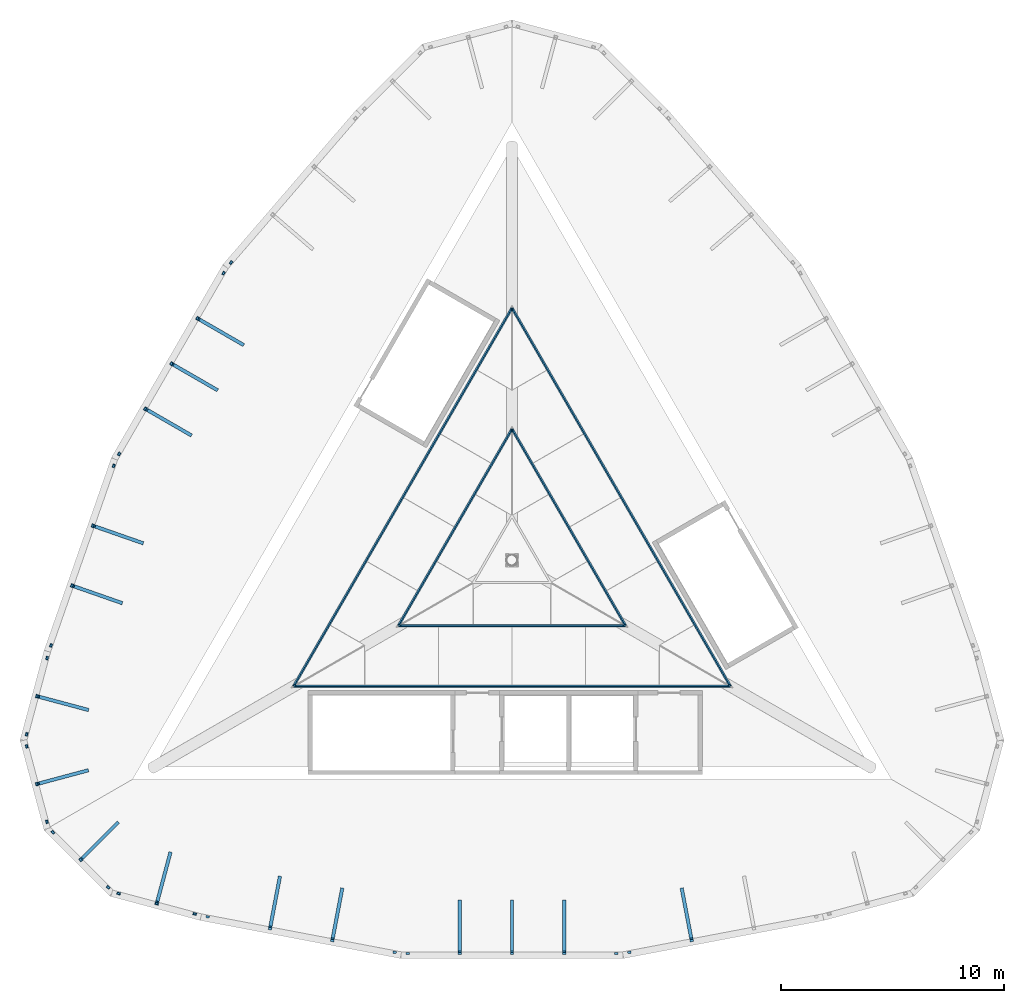
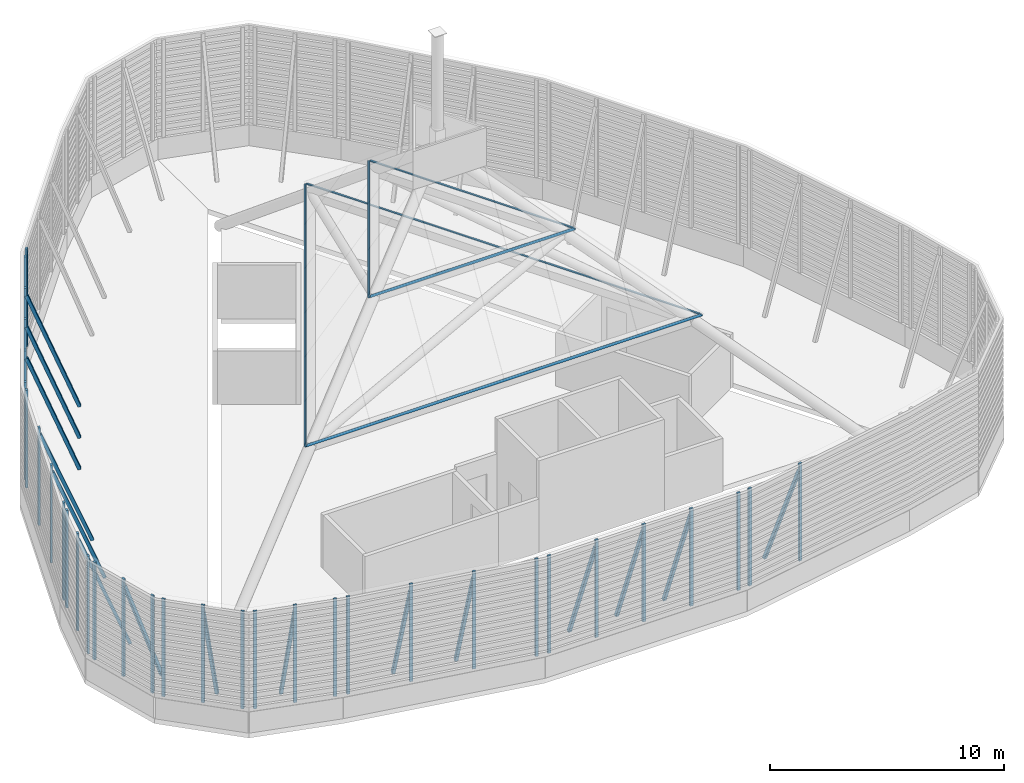
# One storey, part 3 of 6: 54 discrete accessories.
"""IFC4 building model written with IfcOpenShell, lengths in metres."""

from ifc_helpers import new_model, si_unit, direction, frame, frame_2d, origin, origin_2d, place, context, subcontext, project, spatial, polyline, rectangle, hollow_rectangle, outline, extrude, material, material_profile, profile_set, type_object, element, save


model = new_model("IFC4")

# Units and contexts
model_context = context("Model", 3, precision=1e-05, world=origin(), true_north=direction((0.0, 1.0)))
body_context = subcontext(model_context, "Body", "Model", "MODEL_VIEW")
ifc_project = project(units=[si_unit("LENGTHUNIT", "METRE"), si_unit("AREAUNIT", "SQUARE_METRE"), si_unit("VOLUMEUNIT", "CUBIC_METRE"), si_unit("PLANEANGLEUNIT", "RADIAN"), si_unit("MASSUNIT", "GRAM", prefix="KILO")], contexts=[model_context])

# Site, building, storey
site_placement = place(None, origin())
site = spatial("IfcSite", under=ifc_project, at=site_placement, CompositionType="ELEMENT")
building_placement = place(site_placement, origin())
building = spatial("IfcBuilding", under=site, at=building_placement, Name="Trikona Tower", CompositionType="ELEMENT")
storey_placement = place(building_placement, frame((0.0, 0.0, 303.800048828125)))
storey = spatial("IfcBuildingStorey", under=building, at=storey_placement, Name="RF", CompositionType="ELEMENT", Elevation=303.800048828125)

# Discrete accessories
ifc_material_1 = material(Name="Aluminium extrusion, pale anodised", Category="aluminium")
discrete_accessory_type_1 = type_object("IfcDiscreteAccessoryType", Name="Crown cap rail 120x60", PredefinedType="BRACKET", material=ifc_material_1)
discrete_accessory_1_placement = place(storey_placement, frame((9.8544921875, -5.6318359375, 6.3828125), z_axis=(0.741695708571, 0.428217456862, 0.516253121565), x_axis=(-0.499998690413, 0.866026159873, -1.233477e-06)))
element("IfcDiscreteAccessory", 1, at=discrete_accessory_1_placement, inside=storey, type_object=discrete_accessory_type_1, Name="Crown cap rail 1 face 1", PredefinedType="BRACKET", context=body_context, shape_type="SweptSolid", body=[
    extrude(outline(polyline([(0.0, 0.0), (19.609007577323545, -8.881784197001252e-16), (19.501599909230535, 0.12004078695887327), (0.1076258728651294, 0.11998461315778214), (0.0, 0.0)])), origin(), (0.0, 0.0, -1.0), 0.06005859375),
])
discrete_accessory_2_placement = place(storey_placement, frame((-0.050048828125, 11.35009765625, 6.3828125), z_axis=(-0.741695708571, 0.428217456862, 0.516253121565), x_axis=(-0.499998690413, -0.866026159873, 1.233477e-06)))
element("IfcDiscreteAccessory", 2, at=discrete_accessory_2_placement, inside=storey, type_object=discrete_accessory_type_1, Name="Crown cap rail 1 face 2", PredefinedType="BRACKET", context=body_context, shape_type="SweptSolid", body=[
    extrude(outline(polyline([(0.0, 0.0), (19.609007577323545, 8.881784197001252e-16), (19.501381704458417, 0.11998461315778258), (0.10740766809301261, 0.12004078695887441), (0.0, 0.0)])), origin(), (0.0, 0.0, -1.0), 0.06005859375),
])
discrete_accessory_3_placement = place(storey_placement, frame((-9.804443359375, -5.718505859375, 6.3828125), z_axis=(0.0, -0.855334247373, 0.518076563136), x_axis=(1.0, 0.0, 0.0)))
element("IfcDiscreteAccessory", 3, at=discrete_accessory_3_placement, inside=storey, type_object=discrete_accessory_type_1, Name="Crown cap rail 1 face 3", PredefinedType="BRACKET", context=body_context, shape_type="SweptSolid", body=[
    extrude(outline(polyline([(0.0, 0.0), (19.60888671875, 0.0), (19.50146484375, 0.12016729534758941), (0.107421875, 0.12016729534758941), (0.0, 0.0)])), origin(), (0.0, 0.0, -1.0), 0.06005859375),
])
discrete_accessory_4_placement = place(storey_placement, frame((5.149658203125, -2.915283203125, 10.8828125), z_axis=(0.741162386546, 0.427912216776, 0.517271158584), x_axis=(-0.500004215877, 0.866022969719, 4.850784e-06)))
element("IfcDiscreteAccessory", 4, at=discrete_accessory_4_placement, inside=storey, type_object=discrete_accessory_type_1, Name="Crown cap rail 2 face 1", PredefinedType="BRACKET", context=body_context, shape_type="SweptSolid", body=[
    extrude(outline(polyline([(0.0, 0.0), (10.198990981384046, -4.440892098500626e-16), (10.091584334304596, 0.12004167155457059), (0.10753753312757419, 0.12015606871430476), (0.0, 0.0)])), origin(), (0.0, 0.0, -1.0), 0.06005859375),
])
discrete_accessory_5_placement = place(storey_placement, frame((-0.050048828125, 5.917236328125, 10.8828125), z_axis=(-0.741162386546, 0.427912216776, 0.517271158584), x_axis=(-0.500004215877, -0.866022969719, -4.850784e-06)))
element("IfcDiscreteAccessory", 5, at=discrete_accessory_5_placement, inside=storey, type_object=discrete_accessory_type_1, Name="Crown cap rail 2 face 2", PredefinedType="BRACKET", context=body_context, shape_type="SweptSolid", body=[
    extrude(outline(polyline([(0.0, 0.0), (10.198990981384046, 4.440892098500626e-16), (10.091453448256473, 0.12015606871430497), (0.10740664707945177, 0.120041671554571), (0.0, 0.0)])), origin(), (0.0, 0.0, -1.0), 0.06005859375),
])
discrete_accessory_6_placement = place(storey_placement, frame((-5.099609375, -3.001953125, 10.8828125), z_axis=(0.0, -0.856234192806, 0.516587850292), x_axis=(1.0, 0.0, 0.0)))
element("IfcDiscreteAccessory", 6, at=discrete_accessory_6_placement, inside=storey, type_object=discrete_accessory_type_1, Name="Crown cap rail 2 face 3", PredefinedType="BRACKET", context=body_context, shape_type="SweptSolid", body=[
    extrude(outline(polyline([(0.0, 0.0), (10.19921875, 0.0), (10.091796875, 0.12004099344375699), (0.107421875, 0.12004099344375699), (0.0, 0.0)])), origin(), (0.0, 0.0, -1.0), 0.06005859375),
])
ifc_material_2 = material(Name="Aluminium extrusion, pale anodised", Category="aluminium")
discrete_accessory_type_2 = type_object("IfcDiscreteAccessoryType", Name="Crown screen rail 150x100", PredefinedType="BRACKET", material=ifc_material_2)
discrete_accessory_7_placement = place(storey_placement, frame((-14.165771484375, -15.893798828125, 1.099853515625), z_axis=(0.0, 0.0, 1.0), x_axis=(-0.965474137671, 0.260498924161, 0.0)))
element("IfcDiscreteAccessory", 7, at=discrete_accessory_7_placement, inside=storey, type_object=discrete_accessory_type_2, Name="Crown screen rail 00-1", PredefinedType="BRACKET", context=body_context, shape_type="SweptSolid", body=[
    extrude(rectangle(XDim=0.14990234375, YDim=0.10009765625, at=frame_2d((0.074951171875, 0.0))), origin(), (0.0, 0.0, 1.0), 5.10009765625),
])
for number, where, z_axis, x_axis, name in (
    (8, (-15.87451171875, -15.435791015625, 1.099853515625), (0.0, 0.0, 1.0), (-0.965991585088, 0.258573505099, 0.0), "Crown screen rail 00-2"),
    (9, (-17.58349609375, -14.977783203125, 1.099853515625), (0.0, 0.0, 1.0), (-0.965991585088, 0.258573505099, 0.0), "Crown screen rail 00-3"),
):
    element("IfcDiscreteAccessory", number, at=place(storey_placement, frame(where, z_axis=z_axis, x_axis=x_axis)), inside=storey, type_object=discrete_accessory_type_2, Name=name, PredefinedType="BRACKET", context=body_context, shape_type="SweptSolid", body=[
        extrude(rectangle(XDim=0.150146484375, YDim=0.10009765625, at=frame_2d((0.0751953125, 0.0))), origin(), (0.0, 0.0, 1.0), 5.10009765625),
    ])
for number, where, z_axis, x_axis, name in (
    (10, (-18.073486328125, -14.73974609375, 1.099853515625), (0.0, 0.0, 1.0), (-0.70792001417, 0.706292611839, 0.0), "Crown screen rail 01-1"),
    (11, (-19.312255859375, -13.501220703125, 1.099853515625), (0.0, 0.0, 1.0), (-0.706292611839, 0.70792001417, 0.0), "Crown screen rail 01-2"),
    (12, (-20.55078125, -12.262451171875, 1.099853515625), (0.0, 0.0, 1.0), (-0.70792001417, 0.706292611839, 0.0), "Crown screen rail 01-3"),
    (13, (-20.856201171875, -11.811279296875, 1.099853515625), (0.0, 0.0, 1.0), (-0.258980325321, 0.965882596953, 0.0), "Crown screen rail 02-1"),
    (14, (-21.3095703125, -10.119140625, 1.099853515625), (0.0, 0.0, 1.0), (-0.258980325321, 0.965882596953, 0.0), "Crown screen rail 02-2"),
):
    element("IfcDiscreteAccessory", number, at=place(storey_placement, frame(where, z_axis=z_axis, x_axis=x_axis)), inside=storey, type_object=discrete_accessory_type_2, Name=name, PredefinedType="BRACKET", context=body_context, shape_type="SweptSolid", body=[
        extrude(rectangle(XDim=0.14990234375, YDim=0.10009765625, at=frame_2d((0.074951171875, 0.0))), origin(), (0.0, 0.0, 1.0), 5.10009765625),
    ])
for number, where, z_axis, x_axis, name in (
    (15, (-21.762939453125, -8.427001953125, 1.099853515625), (0.0, 0.0, 1.0), (-0.258573505099, 0.965991585088, 0.0), "Crown screen rail 02-3"),
    (16, (-21.8017578125, -7.8837890625, 1.099853515625), (0.0, 0.0, 1.0), (0.258573505099, 0.965991585088, 0.0), "Crown screen rail 03-1"),
):
    element("IfcDiscreteAccessory", number, at=place(storey_placement, frame(where, z_axis=z_axis, x_axis=x_axis)), inside=storey, type_object=discrete_accessory_type_2, Name=name, PredefinedType="BRACKET", context=body_context, shape_type="SweptSolid", body=[
        extrude(rectangle(XDim=0.150146484375, YDim=0.10009765625, at=frame_2d((0.0751953125, 0.0))), origin(), (0.0, 0.0, 1.0), 5.10009765625),
    ])
for number, where, z_axis, x_axis, name in (
    (17, (-21.34375, -6.1748046875, 1.099853515625), (0.0, 0.0, 1.0), (0.258980325321, 0.965882596953, 0.0), "Crown screen rail 03-2"),
    (18, (-20.885986328125, -4.466064453125, 1.099853515625), (0.0, 0.0, 1.0), (0.258980325321, 0.965882596953, 0.0), "Crown screen rail 03-3"),
    (19, (-20.71630859375, -3.896240234375, 1.099853515625), (0.0, 0.0, 1.0), (0.330350424728, 0.943858356366, 0.0), "Crown screen rail 04-1"),
    (20, (-19.778076171875, -1.208251953125, 1.099853515625), (0.0, 0.0, 1.0), (0.330350424728, 0.943858356366, 0.0), "Crown screen rail 04-2"),
    (21, (-18.839599609375, 1.479736328125, 1.099853515625), (0.0, 0.0, 1.0), (0.328899508663, 0.944364925864, 0.0), "Crown screen rail 04-3"),
    (22, (-17.9013671875, 4.16796875, 1.099853515625), (0.0, 0.0, 1.0), (0.328899508663, 0.944364925864, 0.0), "Crown screen rail 04-4"),
):
    element("IfcDiscreteAccessory", number, at=place(storey_placement, frame(where, z_axis=z_axis, x_axis=x_axis)), inside=storey, type_object=discrete_accessory_type_2, Name=name, PredefinedType="BRACKET", context=body_context, shape_type="SweptSolid", body=[
        extrude(rectangle(XDim=0.14990234375, YDim=0.10009765625, at=frame_2d((0.074951171875, 0.0))), origin(), (0.0, 0.0, 1.0), 5.10009765625),
    ])
discrete_accessory_8_placement = place(storey_placement, frame((-17.6708984375, 4.704833984375, 1.099853515625), z_axis=(0.0, 0.0, 1.0), x_axis=(0.501036270542, 0.865426285481, 0.0)))
element("IfcDiscreteAccessory", 23, at=discrete_accessory_8_placement, inside=storey, type_object=discrete_accessory_type_2, Name="Crown screen rail 05-1", PredefinedType="BRACKET", context=body_context, shape_type="SweptSolid", body=[
    extrude(rectangle(XDim=0.150146484375, YDim=0.10009765625, at=frame_2d((0.0751953125, 0.0))), origin(), (0.0, 0.0, 1.0), 5.10009765625),
])
for number, where, z_axis, x_axis, name in (
    (24, (-16.499267578125, 6.73388671875, 1.099853515625), (0.0, 0.0, 1.0), (0.499816412211, 0.866131372301, 0.0), "Crown screen rail 05-2"),
    (25, (-15.327880859375, 8.762939453125, 1.099853515625), (0.0, 0.0, 1.0), (0.499816412211, 0.866131372301, 0.0), "Crown screen rail 05-3"),
):
    element("IfcDiscreteAccessory", number, at=place(storey_placement, frame(where, z_axis=z_axis, x_axis=x_axis)), inside=storey, type_object=discrete_accessory_type_2, Name=name, PredefinedType="BRACKET", context=body_context, shape_type="SweptSolid", body=[
        extrude(rectangle(XDim=0.14990234375, YDim=0.10009765625, at=frame_2d((0.074951171875, 0.0))), origin(), (0.0, 0.0, 1.0), 5.10009765625),
    ])
for number, where, z_axis, x_axis, name in (
    (26, (-14.156494140625, 10.7919921875, 1.099853515625), (0.0, 0.0, 1.0), (0.501036270542, 0.865426285481, 0.0), "Crown screen rail 05-4"),
    (27, (-12.985107421875, 12.821044921875, 1.099853515625), (0.0, 0.0, 1.0), (0.501036270542, 0.865426285481, 0.0), "Crown screen rail 05-5"),
    (28, (-12.658203125, 13.305419921875, 1.099853515625), (0.0, 0.0, 1.0), (0.652263649461, 0.757992171194, 0.0), "Crown screen rail 06-1"),
):
    element("IfcDiscreteAccessory", number, at=place(storey_placement, frame(where, z_axis=z_axis, x_axis=x_axis)), inside=storey, type_object=discrete_accessory_type_2, Name=name, PredefinedType="BRACKET", context=body_context, shape_type="SweptSolid", body=[
        extrude(rectangle(XDim=0.150146484375, YDim=0.10009765625, at=frame_2d((0.0751953125, 0.0))), origin(), (0.0, 0.0, 1.0), 5.10009765625),
    ])
discrete_accessory_9_placement = place(storey_placement, frame((8.13818359375, -17.0556640625, 1.099853515625), z_axis=(0.0, 0.0, 1.0), x_axis=(-0.98259436979, -0.185764109712, 0.0)))
element("IfcDiscreteAccessory", 29, at=discrete_accessory_9_placement, inside=storey, type_object=discrete_accessory_type_2, Name="Crown screen rail 18-3", PredefinedType="BRACKET", context=body_context, shape_type="SweptSolid", body=[
    extrude(rectangle(XDim=0.14990234375, YDim=0.10009765625, at=frame_2d((0.074951171875, 0.0))), origin(), (0.0, 0.0, 1.0), 5.10009765625),
])
for number, where, z_axis, x_axis, name in (
    (30, (5.34130859375, -17.5869140625, 1.099853515625), (0.0, 0.0, 1.0), (-0.982352799132, -0.187037370696, 0.0), "Crown screen rail 18-4"),
    (31, (4.760986328125, -17.65576171875, 1.099853515625), (0.0, 0.0, 1.0), (-1.0, 0.0, 0.0), "Crown screen rail 19-1"),
    (32, (2.41796875, -17.65576171875, 1.099853515625), (0.0, 0.0, 1.0), (-1.0, 0.0, 0.0), "Crown screen rail 19-2"),
):
    element("IfcDiscreteAccessory", number, at=place(storey_placement, frame(where, z_axis=z_axis, x_axis=x_axis)), inside=storey, type_object=discrete_accessory_type_2, Name=name, PredefinedType="BRACKET", context=body_context, shape_type="SweptSolid", body=[
        extrude(rectangle(XDim=0.150146484375, YDim=0.10009765625, at=frame_2d((0.0751953125, 0.0))), origin(), (0.0, 0.0, 1.0), 5.10009765625),
    ])
discrete_accessory_10_placement = place(storey_placement, frame((0.074951171875, -17.65576171875, 1.099853515625), z_axis=(0.0, 0.0, 1.0), x_axis=(-1.0, 0.0, 0.0)))
element("IfcDiscreteAccessory", 33, at=discrete_accessory_10_placement, inside=storey, type_object=discrete_accessory_type_2, Name="Crown screen rail 19-3", PredefinedType="BRACKET", context=body_context, shape_type="SweptSolid", body=[
    extrude(rectangle(XDim=0.14990234375, YDim=0.10009765625, at=frame_2d((0.074951171875, 0.0))), origin(), (0.0, 0.0, 1.0), 5.10009765625),
])
for number, where, z_axis, x_axis, name in (
    (34, (-2.267822265625, -17.65576171875, 1.099853515625), (0.0, 0.0, 1.0), (-1.0, 0.0, 0.0), "Crown screen rail 19-4"),
    (35, (-4.61083984375, -17.65576171875, 1.099853515625), (0.0, 0.0, 1.0), (-1.0, 0.0, 0.0), "Crown screen rail 19-5"),
    (36, (-5.19384765625, -17.614990234375, 1.099853515625), (0.0, 0.0, 1.0), (-0.982352799132, 0.187037370696, 0.0), "Crown screen rail 20-1"),
):
    element("IfcDiscreteAccessory", number, at=place(storey_placement, frame(where, z_axis=z_axis, x_axis=x_axis)), inside=storey, type_object=discrete_accessory_type_2, Name=name, PredefinedType="BRACKET", context=body_context, shape_type="SweptSolid", body=[
        extrude(rectangle(XDim=0.150146484375, YDim=0.10009765625, at=frame_2d((0.0751953125, 0.0))), origin(), (0.0, 0.0, 1.0), 5.10009765625),
    ])
for number, where, z_axis, x_axis, name in (
    (37, (-7.990966796875, -17.08349609375, 1.099853515625), (0.0, 0.0, 1.0), (-0.98259436979, 0.185764109712, 0.0), "Crown screen rail 20-2"),
    (38, (-10.7880859375, -16.55224609375, 1.099853515625), (0.0, 0.0, 1.0), (-0.982295765755, 0.187336671744, 0.0), "Crown screen rail 20-3"),
):
    element("IfcDiscreteAccessory", number, at=place(storey_placement, frame(where, z_axis=z_axis, x_axis=x_axis)), inside=storey, type_object=discrete_accessory_type_2, Name=name, PredefinedType="BRACKET", context=body_context, shape_type="SweptSolid", body=[
        extrude(rectangle(XDim=0.14990234375, YDim=0.10009765625, at=frame_2d((0.074951171875, 0.0))), origin(), (0.0, 0.0, 1.0), 5.10009765625),
    ])
discrete_accessory_11_placement = place(storey_placement, frame((-13.5849609375, -16.020751953125, 1.099853515625), z_axis=(0.0, 0.0, 1.0), x_axis=(-0.982352799132, 0.187037370696, 0.0)))
element("IfcDiscreteAccessory", 39, at=discrete_accessory_11_placement, inside=storey, type_object=discrete_accessory_type_2, Name="Crown screen rail 20-4", PredefinedType="BRACKET", context=body_context, shape_type="SweptSolid", body=[
    extrude(rectangle(XDim=0.150146484375, YDim=0.10009765625, at=frame_2d((0.0751953125, 0.0))), origin(), (0.0, 0.0, 1.0), 5.10009765625),
])
ifc_material_3 = material(Name="Steel ASTM A500 Grade C", Category="steel")
ifc_material_profile = material_profile(ifc_material_3, hollow_rectangle(XDim=0.15234375, YDim=0.15234375, WallThickness=0.0087890625, at=origin_2d()), Name="HSS6X6X3/8")
ifc_profile_set = profile_set([ifc_material_profile], Name="Steel ASTM A500 Grade C")
discrete_accessory_type_3 = type_object("IfcDiscreteAccessoryType", Name="Crown screen stay HSS6x6x3/8", PredefinedType="BRACKET", material=ifc_profile_set)
discrete_accessory_12_placement = place(storey_placement, frame((-15.343994140625, -13.165771484375, 0.0), z_axis=(-0.094686268058, -0.353359593662, 0.930683355502), x_axis=(0.965923195001, -0.258828865002, 0.0)))
element("IfcDiscreteAccessory", 40, at=discrete_accessory_12_placement, inside=storey, type_object=discrete_accessory_type_3, Name="Crown screen stay 00-2", PredefinedType="BRACKET", context=body_context, shape_type="SweptSolid", body=[
    extrude(hollow_rectangle(XDim=0.15234375, YDim=0.15234375, WallThickness=0.0087890625, at=origin_2d()), origin(), (0.0, 0.0, 1.0), 6.23193359375),
])
discrete_accessory_13_placement = place(storey_placement, frame((-17.717529296875, -11.800537109375, 0.0), z_axis=(-0.258710488532, -0.258671313716, 0.930676116908), x_axis=(0.707053238857, -0.707160319462, 0.0)))
element("IfcDiscreteAccessory", 41, at=discrete_accessory_13_placement, inside=storey, type_object=discrete_accessory_type_3, Name="Crown screen stay 01-2", PredefinedType="BRACKET", context=body_context, shape_type="SweptSolid", body=[
    extrude(hollow_rectangle(XDim=0.15234375, YDim=0.15234375, WallThickness=0.0087890625, at=origin_2d()), origin(), (0.0, 0.0, 1.0), 6.232177734375),
])
discrete_accessory_14_placement = place(storey_placement, frame((-19.078369140625, -9.443603515625, 0.0), z_axis=(-0.353359593662, -0.094686268058, 0.930683355502), x_axis=(0.258828865002, -0.965923195001, 0.0)))
element("IfcDiscreteAccessory", 42, at=discrete_accessory_14_placement, inside=storey, type_object=discrete_accessory_type_3, Name="Crown screen stay 02-2", PredefinedType="BRACKET", context=body_context, shape_type="SweptSolid", body=[
    extrude(hollow_rectangle(XDim=0.15234375, YDim=0.15234375, WallThickness=0.0087890625, at=origin_2d()), origin(), (0.0, 0.0, 1.0), 6.23193359375),
])
for number, where, z_axis, x_axis, name in (
    (43, (-19.07373046875, -6.70556640625, 0.0), (-0.353393876548, 0.094684957279, 0.930670471694), (-0.258802095022, -0.96593036789, 0.0), "Crown screen stay 03-2"),
    (44, (-17.553466796875, -1.9052734375, 0.0), (-0.345404053304, 0.120579979139, 0.930675297078), (-0.329591934829, -0.94412348583, 0.0), "Crown screen stay 04-2"),
    (45, (-16.614990234375, 0.78271484375, 0.0), (-0.345438553679, 0.120578347496, 0.930662703533), (-0.329558617352, -0.944135116246, 0.0), "Crown screen stay 04-3"),
    (46, (-14.444091796875, 5.6337890625, 0.0), (-0.316807703178, 0.182946948663, 0.930678942054), (-0.500077770228, -0.865980498466, 0.0), "Crown screen stay 05-2"),
    (47, (-13.2724609375, 7.662841796875, 0.0), (-0.316842945581, 0.182944678025, 0.930667390971), (-0.50003140069, -0.866007273829, 0.0), "Crown screen stay 05-3"),
    (48, (-12.10107421875, 9.69189453125, 0.0), (-0.316845216099, 0.182906814289, 0.930674060196), (-0.499951092774, -0.866053638543, 0.0), "Crown screen stay 05-4"),
    (49, (7.629638671875, -14.780517578125, 0.0), (0.06832036967, -0.359426256721, 0.930669164133), (0.982409722136, 0.186738153178, 0.0), "Crown screen stay 18-3"),
    (50, (2.343017578125, -15.32568359375, 0.0), (0.0, -0.365852349649, 0.930672906158), (1.0, 0.0, 0.0), "Crown screen stay 19-2"),
    (51, (0.0, -15.32568359375, 0.0), (0.0, -0.365852349649, 0.930672906158), (1.0, 0.0, 0.0), "Crown screen stay 19-3"),
    (52, (-2.343017578125, -15.32568359375, 0.0), (0.0, -0.365852349649, 0.930672906158), (1.0, 0.0, 0.0), "Crown screen stay 19-4"),
    (53, (-7.629638671875, -14.780517578125, 0.0), (-0.06832036967, -0.359426256721, 0.930669164133), (0.982409722136, -0.186738153178, 0.0), "Crown screen stay 20-2"),
    (54, (-10.4267578125, -14.2490234375, 0.0), (-0.068281377843, -0.359427218424, 0.930671654288), (0.982429360296, -0.186634809264, 0.0), "Crown screen stay 20-3"),
):
    element("IfcDiscreteAccessory", number, at=place(storey_placement, frame(where, z_axis=z_axis, x_axis=x_axis)), inside=storey, type_object=discrete_accessory_type_3, Name=name, PredefinedType="BRACKET", context=body_context, shape_type="SweptSolid", body=[
        extrude(hollow_rectangle(XDim=0.15234375, YDim=0.15234375, WallThickness=0.0087890625, at=origin_2d()), origin(), (0.0, 0.0, 1.0), 6.232177734375),
    ])

save(model, "model.ifc")
